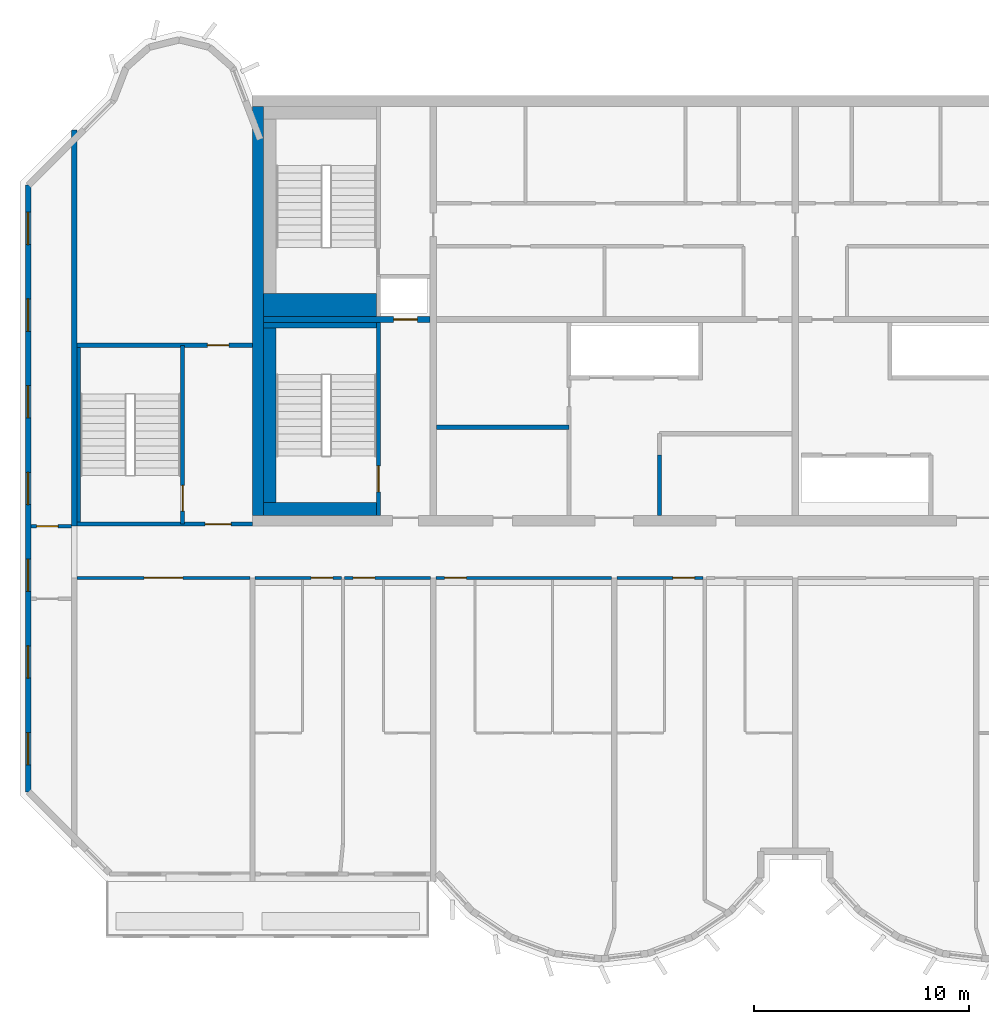
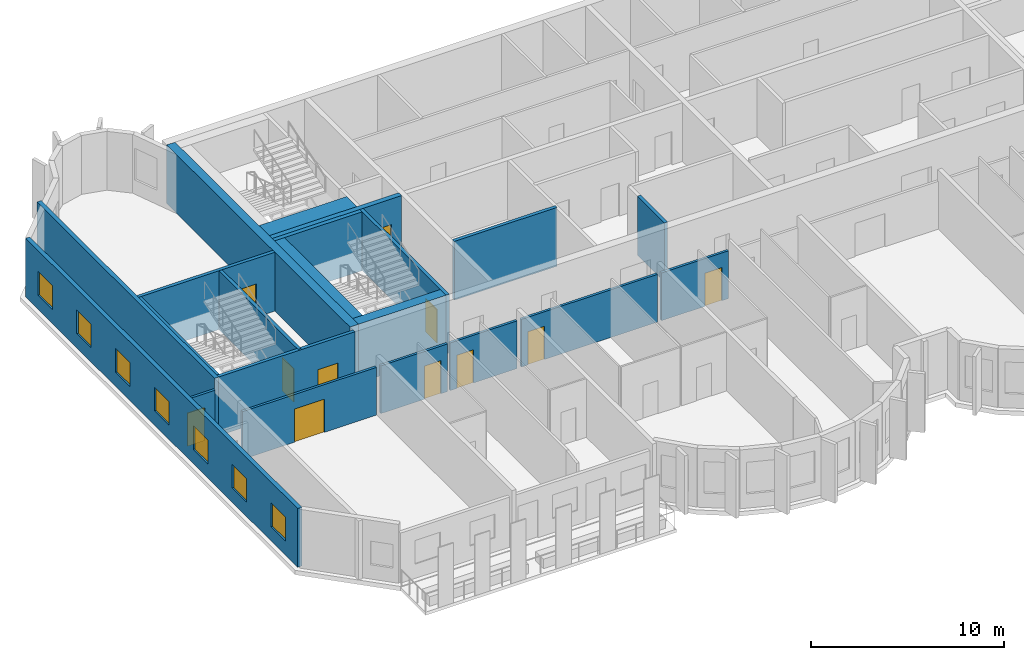
# One storey, part 3 of 11: 21 walls, 11 doors, 7 windows, 18 openings.
"""IFC4 building model written with IfcOpenShell, lengths in metres."""

from ifc_helpers import new_model, si_unit, direction, frame, frame_2d, origin, place, context, subcontext, project, spatial, rectangle, extrude, source, transform, mapped, material, layer, layer_set, type_object, element, fill, save


model = new_model("IFC4")

# Units and contexts
model_context = context("Model", 3, precision=1e-05, world=origin(), true_north=direction((0.0, 1.0)))
body_context = subcontext(model_context, "Body", "Model", "MODEL_VIEW")
ifc_project = project(units=[si_unit("LENGTHUNIT", "METRE"), si_unit("AREAUNIT", "SQUARE_METRE"), si_unit("VOLUMEUNIT", "CUBIC_METRE"), si_unit("PLANEANGLEUNIT", "RADIAN"), si_unit("MASSUNIT", "GRAM", prefix="KILO")], contexts=[model_context])

# Site, building, storey
site_placement = place(None, origin())
site = spatial("IfcSite", under=ifc_project, at=site_placement, CompositionType="ELEMENT")
building_placement = place(site_placement, origin())
building = spatial("IfcBuilding", under=site, at=building_placement, Name="Vanashikhar Sky Hotel", CompositionType="ELEMENT")
storey_placement = place(building_placement, frame((0.0, 0.0, 305.699951171875)))
storey = spatial("IfcBuildingStorey", under=building, at=storey_placement, Name="L73", CompositionType="ELEMENT", Elevation=305.699951171875)

# Wall
ifc_material_1 = material(Name="Concrete M50", Category="concrete")
ifc_layer_1 = layer(ifc_material_1, 0.5)
ifc_layer_set_1 = layer_set([ifc_layer_1], Name="RC core shell wall 500 Concrete M50")
wall_type_1 = type_object("IfcWallType", Name="RC core shell wall 500 Concrete M50", PredefinedType="SHEAR", material=ifc_layer_set_1)
shared_shape_1 = source(origin(), body_context, "Body", "SweptSolid", [
    extrude(rectangle(XDim=19.0, YDim=0.5, at=frame_2d((9.5, 0.0))), origin(), (0.0, 0.0, 1.0), 3.719970703125),
])
wall_1_placement = place(storey_placement, frame((25.449951171875, 22.5, 0.0), z_axis=(0.0, 0.0, 1.0), x_axis=(0.0, 1.0, 0.0)))
element("IfcWall", 1, at=wall_1_placement, inside=storey, type_object=wall_type_1, Name="KW-L73-KW", PredefinedType="SHEAR", context=body_context, shape_type="MappedRepresentation", body=[
    mapped(shared_shape_1, transform((0.0, 0.0, 0.0), scale=1.0)),
])

# Wall, opening, door
ifc_layer_2 = layer(ifc_material_1, 0.300048828125)
ifc_layer_set_2 = layer_set([ifc_layer_2], Name="RC core inner wall 300 Concrete M50")
wall_type_2 = type_object("IfcWallType", Name="RC core inner wall 300 Concrete M50", PredefinedType="SHEAR", material=ifc_layer_set_2)
shared_shape_2 = source(origin(), body_context, "Body", "SweptSolid", [
    extrude(rectangle(XDim=7.75, YDim=0.300048828125, at=frame_2d((3.875, 0.0))), origin(), (0.0, 0.0, 1.0), 3.719970703125),
])
wall_2_placement = place(storey_placement, frame((25.699951171875, 31.60009765625, 0.0), z_axis=(0.0, 0.0, 1.0), x_axis=(1.0, 0.0, 0.0)))
wall_2 = element("IfcWall", 2, at=wall_2_placement, inside=storey, type_object=wall_type_2, Name="KW-L73-KY1", PredefinedType="SHEAR", context=body_context, shape_type="MappedRepresentation", body=[
    mapped(shared_shape_2, transform((0.0, 0.0, 0.0), scale=1.0)),
])
shared_shape_3 = source(origin(), body_context, "Body", "SweptSolid", [
    extrude(rectangle(XDim=1.10009765625, YDim=2.10009765625, at=frame_2d((0.550048828125, 1.050048828125))), frame((0.0, 0.16015625, 0.0), z_axis=(0.0, -1.0, 0.0), x_axis=(1.0, 0.0, 0.0)), (0.0, 0.0, 1.0), 0.320068359375),
])
opening_1_placement = place(wall_2_placement, frame((6.050048828125, 0.0, 0.0)))
opening_1 = element("IfcOpeningElement", 3, at=opening_1_placement, cuts=wall_2, Name="Opening LD", PredefinedType="OPENING", context=body_context, shape_type="MappedRepresentation", body=[
    mapped(shared_shape_3, transform((0.0, 0.0, 0.0), scale=1.0)),
])
ifc_material_2 = material(Name="Stainless steel", Category="steel")
door_type_1 = type_object("IfcDoorType", Name="Lift landing door 1100", OperationType="NOTDEFINED", PredefinedType="DOOR", material=ifc_material_2)
shared_shape_4 = source(origin(), body_context, "Body", "SweptSolid", [
    extrude(rectangle(XDim=1.10009765625, YDim=2.10009765625, at=frame_2d((0.550048828125, 1.050048828125))), frame((0.0, 0.02490234375, 0.0), z_axis=(0.0, -1.0, 0.0), x_axis=(1.0, 0.0, 0.0)), (0.0, 0.0, 1.0), 0.050048828125),
])
door_1_placement = place(opening_1_placement, origin())
door_1 = element("IfcDoor", 4, at=door_1_placement, inside=storey, type_object=door_type_1, Name="Lift landing door 1100", OperationType="SLIDING_TO_LEFT", OverallHeight=2.10009765625, OverallWidth=1.10009765625, PredefinedType="DOOR", context=body_context, shape_type="MappedRepresentation", body=[
    mapped(shared_shape_4, transform((0.0, 0.0, 0.0), scale=1.0)),
])
fill(opening_1, door_1)

# Wall
ifc_layer_3 = layer(ifc_material_1, 0.25)
ifc_layer_set_3 = layer_set([ifc_layer_3], Name="RC shear wall 250 Concrete M50")
wall_type_3 = type_object("IfcWallType", Name="RC shear wall 250 Concrete M50", PredefinedType="SHEAR", material=ifc_layer_set_3)
shared_shape_5 = source(origin(), body_context, "Body", "SweptSolid", [
    extrude(rectangle(XDim=18.39990234375, YDim=0.25, at=frame_2d((9.199951171875, 0.0))), origin(), (0.0, 0.0, 1.0), 3.719970703125),
])
wall_3_placement = place(storey_placement, frame((16.925048828125, 22.0, 0.0), z_axis=(0.0, 0.0, 1.0), x_axis=(0.0, 1.0, 0.0)))
element("IfcWall", 5, at=wall_3_placement, inside=storey, type_object=wall_type_3, Name="CW-L73-XW03-2", PredefinedType="SHEAR", context=body_context, shape_type="MappedRepresentation", body=[
    mapped(shared_shape_5, transform((0.0, 0.0, 0.0), scale=1.0)),
])

# Wall, openings, windows
ifc_layer_4 = layer(ifc_material_1, 0.25)
ifc_layer_set_4 = layer_set([ifc_layer_4], Name="Rear and end board-marked wall 250")
wall_type_4 = type_object("IfcWallType", Name="Rear and end board-marked wall 250", PredefinedType="SOLIDWALL", material=ifc_layer_set_4)
shared_shape_6 = source(origin(), body_context, "Body", "SweptSolid", [
    extrude(rectangle(XDim=28.189453125, YDim=0.25, at=frame_2d((14.0947265625, 0.0))), origin(), (0.0, 0.0, 1.0), 3.719970703125),
])
wall_4_placement = place(storey_placement, frame((14.77490234375, 37.8447265625, 0.0), z_axis=(0.0, 0.0, 1.0), x_axis=(0.0, -1.0, 0.0)))
wall_4 = element("IfcWall", 6, at=wall_4_placement, inside=storey, type_object=wall_type_4, Name="End board-marked wall", PredefinedType="SOLIDWALL", context=body_context, shape_type="MappedRepresentation", body=[
    mapped(shared_shape_6, transform((0.0, 0.0, 0.0), scale=1.0)),
])
shared_shape_7 = source(origin(), body_context, "Body", "SweptSolid", [
    extrude(rectangle(XDim=1.5, YDim=1.5, at=frame_2d((0.75, 0.75))), frame((0.0, 0.135009765625, 0.0), z_axis=(0.0, -1.0, 0.0), x_axis=(1.0, 0.0, 0.0)), (0.0, 0.0, 1.0), 0.27001953125),
])
opening_2_placement = place(wall_4_placement, frame((1.263427734375, 0.0, 0.89990234375)))
opening_2 = element("IfcOpeningElement", 7, at=opening_2_placement, cuts=wall_4, Name="Opening WN-1", PredefinedType="OPENING", context=body_context, shape_type="MappedRepresentation", body=[
    mapped(shared_shape_7, transform((0.0, 0.0, 0.0), scale=1.0)),
])
opening_3_placement = place(wall_4_placement, frame((5.29052734375, 0.0, 0.89990234375)))
opening_3 = element("IfcOpeningElement", 8, at=opening_3_placement, cuts=wall_4, Name="Opening WN-1", PredefinedType="OPENING", context=body_context, shape_type="MappedRepresentation", body=[
    mapped(shared_shape_7, transform((0.0, 0.0, 0.0), scale=1.0)),
])
opening_4_placement = place(wall_4_placement, frame((9.317626953125, 0.0, 0.89990234375)))
opening_4 = element("IfcOpeningElement", 9, at=opening_4_placement, cuts=wall_4, Name="Opening WN-1", PredefinedType="OPENING", context=body_context, shape_type="MappedRepresentation", body=[
    mapped(shared_shape_7, transform((0.0, 0.0, 0.0), scale=1.0)),
])
opening_5_placement = place(wall_4_placement, frame((13.3447265625, 0.0, 0.89990234375)))
opening_5 = element("IfcOpeningElement", 10, at=opening_5_placement, cuts=wall_4, Name="Opening WN-1", PredefinedType="OPENING", context=body_context, shape_type="MappedRepresentation", body=[
    mapped(shared_shape_7, transform((0.0, 0.0, 0.0), scale=1.0)),
])
opening_6_placement = place(wall_4_placement, frame((17.371826171875, 0.0, 0.89990234375)))
opening_6 = element("IfcOpeningElement", 11, at=opening_6_placement, cuts=wall_4, Name="Opening WN-1", PredefinedType="OPENING", context=body_context, shape_type="MappedRepresentation", body=[
    mapped(shared_shape_7, transform((0.0, 0.0, 0.0), scale=1.0)),
])
opening_7_placement = place(wall_4_placement, frame((21.398681640625, 0.0, 0.89990234375)))
opening_7 = element("IfcOpeningElement", 12, at=opening_7_placement, cuts=wall_4, Name="Opening WN-1", PredefinedType="OPENING", context=body_context, shape_type="MappedRepresentation", body=[
    mapped(shared_shape_7, transform((0.0, 0.0, 0.0), scale=1.0)),
])
opening_8_placement = place(wall_4_placement, frame((25.42578125, 0.0, 0.89990234375)))
opening_8 = element("IfcOpeningElement", 13, at=opening_8_placement, cuts=wall_4, Name="Opening WN-1", PredefinedType="OPENING", context=body_context, shape_type="MappedRepresentation", body=[
    mapped(shared_shape_7, transform((0.0, 0.0, 0.0), scale=1.0)),
])
ifc_material_3 = material(Name="Glass", Category="glass")
window_type = type_object("IfcWindowType", Name="Window 1500 x 1500", PartitioningType="SINGLE_PANEL", PredefinedType="WINDOW", material=ifc_material_3)
shared_shape_8 = source(origin(), body_context, "Body", "SweptSolid", [
    extrude(rectangle(XDim=1.5, YDim=1.5, at=frame_2d((0.75, 0.75))), frame((0.0, 0.030029296875, 0.0), z_axis=(0.0, -1.0, 0.0), x_axis=(1.0, 0.0, 0.0)), (0.0, 0.0, 1.0), 0.06005859375),
])
window_1_placement = place(opening_2_placement, origin())
window_1 = element("IfcWindow", 14, at=window_1_placement, inside=storey, type_object=window_type, Name="Window WN-1", OverallHeight=1.5, OverallWidth=1.5, PartitioningType="SINGLE_PANEL", PredefinedType="WINDOW", context=body_context, shape_type="MappedRepresentation", body=[
    mapped(shared_shape_8, transform((0.0, 0.0, 0.0), scale=1.0)),
])
fill(opening_2, window_1)
window_2_placement = place(opening_3_placement, origin())
window_2 = element("IfcWindow", 15, at=window_2_placement, inside=storey, type_object=window_type, Name="Window WN-1", OverallHeight=1.5, OverallWidth=1.5, PartitioningType="SINGLE_PANEL", PredefinedType="WINDOW", context=body_context, shape_type="MappedRepresentation", body=[
    mapped(shared_shape_8, transform((0.0, 0.0, 0.0), scale=1.0)),
])
fill(opening_3, window_2)
window_3_placement = place(opening_4_placement, origin())
window_3 = element("IfcWindow", 16, at=window_3_placement, inside=storey, type_object=window_type, Name="Window WN-1", OverallHeight=1.5, OverallWidth=1.5, PartitioningType="SINGLE_PANEL", PredefinedType="WINDOW", context=body_context, shape_type="MappedRepresentation", body=[
    mapped(shared_shape_8, transform((0.0, 0.0, 0.0), scale=1.0)),
])
fill(opening_4, window_3)
window_4_placement = place(opening_5_placement, origin())
window_4 = element("IfcWindow", 17, at=window_4_placement, inside=storey, type_object=window_type, Name="Window WN-1", OverallHeight=1.5, OverallWidth=1.5, PartitioningType="SINGLE_PANEL", PredefinedType="WINDOW", context=body_context, shape_type="MappedRepresentation", body=[
    mapped(shared_shape_8, transform((0.0, 0.0, 0.0), scale=1.0)),
])
fill(opening_5, window_4)
window_5_placement = place(opening_6_placement, origin())
window_5 = element("IfcWindow", 18, at=window_5_placement, inside=storey, type_object=window_type, Name="Window WN-1", OverallHeight=1.5, OverallWidth=1.5, PartitioningType="SINGLE_PANEL", PredefinedType="WINDOW", context=body_context, shape_type="MappedRepresentation", body=[
    mapped(shared_shape_8, transform((0.0, 0.0, 0.0), scale=1.0)),
])
fill(opening_6, window_5)
window_6_placement = place(opening_7_placement, origin())
window_6 = element("IfcWindow", 19, at=window_6_placement, inside=storey, type_object=window_type, Name="Window WN-1", OverallHeight=1.5, OverallWidth=1.5, PartitioningType="SINGLE_PANEL", PredefinedType="WINDOW", context=body_context, shape_type="MappedRepresentation", body=[
    mapped(shared_shape_8, transform((0.0, 0.0, 0.0), scale=1.0)),
])
fill(opening_7, window_6)
window_7_placement = place(opening_8_placement, origin())
window_7 = element("IfcWindow", 20, at=window_7_placement, inside=storey, type_object=window_type, Name="Window WN-1", OverallHeight=1.5, OverallWidth=1.5, PartitioningType="SINGLE_PANEL", PredefinedType="WINDOW", context=body_context, shape_type="MappedRepresentation", body=[
    mapped(shared_shape_8, transform((0.0, 0.0, 0.0), scale=1.0)),
])
fill(opening_8, window_7)

# Walls
ifc_material_4 = material(Name="Gypsum board partition")
ifc_layer_5 = layer(ifc_material_4, 0.14990234375)
ifc_layer_set_5 = layer_set([ifc_layer_5], Name="Service partition 150")
wall_type_5 = type_object("IfcWallType", Name="Service partition 150", PredefinedType="PARTITIONING", material=ifc_layer_set_5)
shared_shape_9 = source(origin(), body_context, "Body", "SweptSolid", [
    extrude(rectangle(XDim=2.800048828125, YDim=0.199951171875, at=frame_2d((1.39990234375, 0.0))), origin(), (0.0, 0.0, 1.0), 3.719970703125),
])
wall_5_placement = place(storey_placement, frame((44.10009765625, 22.5, 0.0), z_axis=(0.0, 0.0, 1.0), x_axis=(0.0, 1.0, 0.0)))
element("IfcWall", 21, at=wall_5_placement, inside=storey, type_object=wall_type_5, Name="Service partition 150", PredefinedType="PARTITIONING", context=body_context, shape_type="MappedRepresentation", body=[
    mapped(shared_shape_9, transform((0.0, 0.0, 0.0), scale=1.0)),
])
shared_shape_10 = source(origin(), body_context, "Body", "SweptSolid", [
    extrude(rectangle(XDim=6.14990234375, YDim=0.199951171875, at=frame_2d((3.074951171875, 0.0))), origin(), (0.0, 0.0, 1.0), 3.719970703125),
])
wall_6_placement = place(storey_placement, frame((33.75, 26.60009765625, 0.0), z_axis=(0.0, 0.0, 1.0), x_axis=(1.0, 0.0, 0.0)))
element("IfcWall", 22, at=wall_6_placement, inside=storey, type_object=wall_type_5, Name="Service partition 150", PredefinedType="PARTITIONING", context=body_context, shape_type="MappedRepresentation", body=[
    mapped(shared_shape_10, transform((0.0, 0.0, 0.0), scale=1.0)),
])

# Wall, opening, door
ifc_layer_6 = layer(ifc_material_1, 0.199951171875)
ifc_layer_set_6 = layer_set([ifc_layer_6], Name="Stair wall 200")
wall_type_6 = type_object("IfcWallType", Name="Stair wall 200", PredefinedType="SOLIDWALL", material=ifc_layer_set_6)
shared_shape_11 = source(origin(), body_context, "Body", "SweptSolid", [
    extrude(rectangle(XDim=8.949951171875, YDim=0.199951171875, at=frame_2d((4.47509765625, 0.0))), origin(), (0.0, 0.0, 1.0), 3.719970703125),
])
wall_7_placement = place(storey_placement, frame((31.050048828125, 22.5, 0.0), z_axis=(0.0, 0.0, 1.0), x_axis=(0.0, 1.0, 0.0)))
wall_7 = element("IfcWall", 23, at=wall_7_placement, inside=storey, type_object=wall_type_6, Name="Stair wall 200", PredefinedType="SOLIDWALL", context=body_context, shape_type="MappedRepresentation", body=[
    mapped(shared_shape_11, transform((0.0, 0.0, 0.0), scale=1.0)),
])
shared_shape_12 = source(origin(), body_context, "Body", "SweptSolid", [
    extrude(rectangle(XDim=1.199951171875, YDim=2.10009765625, at=frame_2d((0.60009765625, 1.050048828125))), frame((0.0, 0.10986328125, 0.0), z_axis=(0.0, -1.0, 0.0), x_axis=(1.0, 0.0, 0.0)), (0.0, 0.0, 1.0), 0.219970703125),
])
opening_9_placement = place(wall_7_placement, frame((1.10009765625, 0.0, 0.0)))
opening_9 = element("IfcOpeningElement", 24, at=opening_9_placement, cuts=wall_7, Name="Opening DC-1", PredefinedType="OPENING", context=body_context, shape_type="MappedRepresentation", body=[
    mapped(shared_shape_12, transform((0.0, 0.0, 0.0), scale=1.0)),
])
ifc_material_5 = material(Name="Steel", Category="steel")
door_type_2 = type_object("IfcDoorType", Name="Stair door 1200 FD120", OperationType="NOTDEFINED", PredefinedType="DOOR", material=ifc_material_5)
shared_shape_13 = source(origin(), body_context, "Body", "SweptSolid", [
    extrude(rectangle(XDim=1.199951171875, YDim=2.10009765625, at=frame_2d((0.60009765625, 1.050048828125))), frame((0.0, 0.02490234375, 0.0), z_axis=(0.0, -1.0, 0.0), x_axis=(1.0, 0.0, 0.0)), (0.0, 0.0, 1.0), 0.050048828125),
])
door_2_placement = place(opening_9_placement, origin())
door_2 = element("IfcDoor", 25, at=door_2_placement, inside=storey, type_object=door_type_2, Name="Stair door 1200 FD120", OperationType="SINGLE_SWING_LEFT", OverallHeight=2.10009765625, OverallWidth=1.199951171875, PredefinedType="DOOR", context=body_context, shape_type="MappedRepresentation", body=[
    mapped(shared_shape_13, transform((0.0, 0.0, 0.0), scale=1.0)),
])
fill(opening_9, door_2)

shared_shape_14 = source(origin(), body_context, "Body", "SweptSolid", [
    extrude(rectangle(XDim=8.2998046875, YDim=0.199951171875, at=frame_2d((4.14990234375, 0.0))), origin(), (0.0, 0.0, 1.0), 3.719970703125),
])
wall_8_placement = place(storey_placement, frame((21.949951171875, 22.10009765625, 0.0), z_axis=(0.0, 0.0, 1.0), x_axis=(0.0, 1.0, 0.0)))
wall_8 = element("IfcWall", 26, at=wall_8_placement, inside=storey, type_object=wall_type_6, Name="Stair wall 200", PredefinedType="SOLIDWALL", context=body_context, shape_type="MappedRepresentation", body=[
    mapped(shared_shape_14, transform((0.0, 0.0, 0.0), scale=1.0)),
])
opening_10_placement = place(wall_8_placement, frame((0.60009765625, 0.0, 0.0)))
opening_10 = element("IfcOpeningElement", 27, at=opening_10_placement, cuts=wall_8, Name="Opening DC-1", PredefinedType="OPENING", context=body_context, shape_type="MappedRepresentation", body=[
    mapped(shared_shape_12, transform((0.0, 0.0, 0.0), scale=1.0)),
])
door_3_placement = place(opening_10_placement, origin())
door_3 = element("IfcDoor", 28, at=door_3_placement, inside=storey, type_object=door_type_2, Name="Stair door 1200 FD120", OperationType="SINGLE_SWING_RIGHT", OverallHeight=2.10009765625, OverallWidth=1.199951171875, PredefinedType="DOOR", context=body_context, shape_type="MappedRepresentation", body=[
    mapped(shared_shape_13, transform((0.0, 0.0, 0.0), scale=1.0)),
])
fill(opening_10, door_3)

shared_shape_15 = source(origin(), body_context, "Body", "SweptSolid", [
    extrude(rectangle(XDim=8.14990234375, YDim=0.199951171875, at=frame_2d((4.074951171875, 0.0))), origin(), (0.0, 0.0, 1.0), 3.719970703125),
])
wall_9_placement = place(storey_placement, frame((17.050048828125, 22.10009765625, 0.0), z_axis=(0.0, 0.0, 1.0), x_axis=(1.0, 0.0, 0.0)))
wall_9 = element("IfcWall", 29, at=wall_9_placement, inside=storey, type_object=wall_type_6, Name="Stair wall 200", PredefinedType="SOLIDWALL", context=body_context, shape_type="MappedRepresentation", body=[
    mapped(shared_shape_15, transform((0.0, 0.0, 0.0), scale=1.0)),
])
opening_11_placement = place(wall_9_placement, frame((5.949951171875, 0.0, 0.0)))
opening_11 = element("IfcOpeningElement", 30, at=opening_11_placement, cuts=wall_9, Name="Opening DC-2", PredefinedType="OPENING", context=body_context, shape_type="MappedRepresentation", body=[
    mapped(shared_shape_12, transform((0.0, 0.0, 0.0), scale=1.0)),
])
door_type_3 = type_object("IfcDoorType", Name="Firefighting lobby door 1200 FD120", OperationType="NOTDEFINED", PredefinedType="DOOR", material=ifc_material_5)
door_4_placement = place(opening_11_placement, origin())
door_4 = element("IfcDoor", 31, at=door_4_placement, inside=storey, type_object=door_type_3, Name="Firefighting lobby door 1200 FD120", OperationType="SINGLE_SWING_LEFT", OverallHeight=2.10009765625, OverallWidth=1.199951171875, PredefinedType="DOOR", context=body_context, shape_type="MappedRepresentation", body=[
    mapped(shared_shape_13, transform((0.0, 0.0, 0.0), scale=1.0)),
])
fill(opening_11, door_4)

wall_10_placement = place(storey_placement, frame((17.050048828125, 30.39990234375, 0.0), z_axis=(0.0, 0.0, 1.0), x_axis=(1.0, 0.0, 0.0)))
wall_10 = element("IfcWall", 32, at=wall_10_placement, inside=storey, type_object=wall_type_6, Name="Stair wall 200", PredefinedType="SOLIDWALL", context=body_context, shape_type="MappedRepresentation", body=[
    mapped(shared_shape_15, transform((0.0, 0.0, 0.0), scale=1.0)),
])
shared_shape_16 = source(origin(), body_context, "Body", "SweptSolid", [
    extrude(rectangle(XDim=1.0, YDim=2.10009765625, at=frame_2d((0.5, 1.050048828125))), frame((0.0, 0.10986328125, 0.0), z_axis=(0.0, -1.0, 0.0), x_axis=(1.0, 0.0, 0.0)), (0.0, 0.0, 1.0), 0.219970703125),
])
opening_12_placement = place(wall_10_placement, frame((6.050048828125, 0.0, 0.0)))
opening_12 = element("IfcOpeningElement", 33, at=opening_12_placement, cuts=wall_10, Name="Opening DC-6", PredefinedType="OPENING", context=body_context, shape_type="MappedRepresentation", body=[
    mapped(shared_shape_16, transform((0.0, 0.0, 0.0), scale=1.0)),
])
door_type_4 = type_object("IfcDoorType", Name="Pocket door 1000 FD60", OperationType="NOTDEFINED", PredefinedType="DOOR", material=ifc_material_5)
shared_shape_17 = source(origin(), body_context, "Body", "SweptSolid", [
    extrude(rectangle(XDim=1.0, YDim=2.10009765625, at=frame_2d((0.5, 1.050048828125))), frame((0.0, 0.02490234375, 0.0), z_axis=(0.0, -1.0, 0.0), x_axis=(1.0, 0.0, 0.0)), (0.0, 0.0, 1.0), 0.050048828125),
])
door_5_placement = place(opening_12_placement, origin())
door_5 = element("IfcDoor", 34, at=door_5_placement, inside=storey, type_object=door_type_4, Name="Pocket door 1000 FD60", OperationType="SINGLE_SWING_LEFT", OverallHeight=2.10009765625, OverallWidth=1.0, PredefinedType="DOOR", context=body_context, shape_type="MappedRepresentation", body=[
    mapped(shared_shape_17, transform((0.0, 0.0, 0.0), scale=1.0)),
])
fill(opening_12, door_5)

# Walls
ifc_layer_7 = layer(ifc_material_1, 0.60009765625)
ifc_layer_set_7 = layer_set([ifc_layer_7], Name="Stair infill wall 600")
wall_type_7 = type_object("IfcWallType", Name="Stair infill wall 600", PredefinedType="SOLIDWALL", material=ifc_layer_set_7)
shared_shape_18 = source(origin(), body_context, "Body", "SweptSolid", [
    extrude(rectangle(XDim=5.25, YDim=0.60009765625, at=frame_2d((2.625, 0.0))), origin(), (0.0, 0.0, 1.0), 3.719970703125),
])
wall_11_placement = place(storey_placement, frame((25.699951171875, 22.800048828125, 0.0), z_axis=(0.0, 0.0, 1.0), x_axis=(1.0, 0.0, 0.0)))
element("IfcWall", 35, at=wall_11_placement, inside=storey, type_object=wall_type_7, Name="Stair infill wall 600", PredefinedType="SOLIDWALL", context=body_context, shape_type="MappedRepresentation", body=[
    mapped(shared_shape_18, transform((0.0, 0.0, 0.0), scale=1.0)),
])
ifc_layer_8 = layer(ifc_material_1, 0.25)
ifc_layer_set_8 = layer_set([ifc_layer_8], Name="Stair infill wall 250")
wall_type_8 = type_object("IfcWallType", Name="Stair infill wall 250", PredefinedType="SOLIDWALL", material=ifc_layer_set_8)
shared_shape_19 = source(origin(), body_context, "Body", "SweptSolid", [
    extrude(rectangle(XDim=5.25, YDim=0.25, at=frame_2d((2.625, 0.0))), origin(), (0.0, 0.0, 1.0), 3.719970703125),
])
wall_12_placement = place(storey_placement, frame((25.699951171875, 31.324951171875, 0.0), z_axis=(0.0, 0.0, 1.0), x_axis=(1.0, 0.0, 0.0)))
element("IfcWall", 36, at=wall_12_placement, inside=storey, type_object=wall_type_8, Name="Stair infill wall 250", PredefinedType="SOLIDWALL", context=body_context, shape_type="MappedRepresentation", body=[
    mapped(shared_shape_19, transform((0.0, 0.0, 0.0), scale=1.0)),
])
shared_shape_20 = source(origin(), body_context, "Body", "SweptSolid", [
    extrude(rectangle(XDim=8.099853515625, YDim=0.60009765625, at=frame_2d((4.0498046875, 0.0))), origin(), (0.0, 0.0, 1.0), 3.719970703125),
])
wall_13_placement = place(storey_placement, frame((26.0, 23.10009765625, 0.0), z_axis=(0.0, 0.0, 1.0), x_axis=(0.0, 1.0, 0.0)))
element("IfcWall", 37, at=wall_13_placement, inside=storey, type_object=wall_type_7, Name="Stair infill wall 600", PredefinedType="SOLIDWALL", context=body_context, shape_type="MappedRepresentation", body=[
    mapped(shared_shape_20, transform((0.0, 0.0, 0.0), scale=1.0)),
])
ifc_layer_9 = layer(ifc_material_1, 0.14990234375)
ifc_layer_set_9 = layer_set([ifc_layer_9], Name="Stair infill wall 150")
wall_type_9 = type_object("IfcWallType", Name="Stair infill wall 150", PredefinedType="SOLIDWALL", material=ifc_layer_set_9)
shared_shape_21 = source(origin(), body_context, "Body", "SweptSolid", [
    extrude(rectangle(XDim=8.10009765625, YDim=0.14990234375, at=frame_2d((4.050048828125, 0.0))), origin(), (0.0, 0.0, 1.0), 3.719970703125),
])
wall_14_placement = place(storey_placement, frame((17.125, 22.199951171875, 0.0), z_axis=(0.0, 0.0, 1.0), x_axis=(0.0, 1.0, 0.0)))
element("IfcWall", 38, at=wall_14_placement, inside=storey, type_object=wall_type_9, Name="Stair infill wall 150", PredefinedType="SOLIDWALL", context=body_context, shape_type="MappedRepresentation", body=[
    mapped(shared_shape_21, transform((0.0, 0.0, 0.0), scale=1.0)),
])
ifc_layer_10 = layer(ifc_material_1, 1.050048828125)
ifc_layer_set_10 = layer_set([ifc_layer_10], Name="Stair infill wall 1050")
wall_type_10 = type_object("IfcWallType", Name="Stair infill wall 1050", PredefinedType="SOLIDWALL", material=ifc_layer_set_10)
shared_shape_22 = source(origin(), body_context, "Body", "SweptSolid", [
    extrude(rectangle(XDim=5.25, YDim=1.050048828125, at=frame_2d((2.625, 0.0))), origin(), (0.0, 0.0, 1.0), 3.719970703125),
])
wall_15_placement = place(storey_placement, frame((25.699951171875, 32.27490234375, 0.0), z_axis=(0.0, 0.0, 1.0), x_axis=(1.0, 0.0, 0.0)))
element("IfcWall", 39, at=wall_15_placement, inside=storey, type_object=wall_type_10, Name="Stair infill wall 1050", PredefinedType="SOLIDWALL", context=body_context, shape_type="MappedRepresentation", body=[
    mapped(shared_shape_22, transform((0.0, 0.0, 0.0), scale=1.0)),
])

# Wall, opening, door
ifc_material_6 = material(Name="Gypsum plasterboard partition")
ifc_layer_11 = layer(ifc_material_6, 0.14990234375)
ifc_layer_set_11 = layer_set([ifc_layer_11], Name="Corridor and demising partition 150")
wall_type_11 = type_object("IfcWallType", Name="Corridor and demising partition 150", PredefinedType="PARTITIONING", material=ifc_layer_set_11)
shared_shape_23 = source(origin(), body_context, "Body", "SweptSolid", [
    extrude(rectangle(XDim=8.02490234375, YDim=0.14990234375, at=frame_2d((4.012451171875, 0.0))), origin(), (0.0, 0.0, 1.0), 3.02001953125),
])
wall_16_placement = place(storey_placement, frame((17.050048828125, 19.60009765625, 0.0), z_axis=(0.0, 0.0, 1.0), x_axis=(1.0, 0.0, 0.0)))
wall_16 = element("IfcWall", 40, at=wall_16_placement, inside=storey, type_object=wall_type_11, Name="W-L73-PW001", PredefinedType="PARTITIONING", context=body_context, shape_type="MappedRepresentation", body=[
    mapped(shared_shape_23, transform((0.0, 0.0, 0.0), scale=1.0)),
])
shared_shape_24 = source(origin(), body_context, "Body", "SweptSolid", [
    extrude(rectangle(XDim=1.800048828125, YDim=2.10009765625, at=frame_2d((0.89990234375, 1.050048828125))), frame((0.0, 0.0849609375, 0.0), z_axis=(0.0, -1.0, 0.0), x_axis=(1.0, 0.0, 0.0)), (0.0, 0.0, 1.0), 0.169921875),
])
opening_13_placement = place(wall_16_placement, frame((3.113037109375, 0.0, 0.0)))
opening_13 = element("IfcOpeningElement", 41, at=opening_13_placement, cuts=wall_16, Name="Opening D-03", PredefinedType="OPENING", context=body_context, shape_type="MappedRepresentation", body=[
    mapped(shared_shape_24, transform((0.0, 0.0, 0.0), scale=1.0)),
])
ifc_material_7 = material(Name="Timber fire door", Category="wood")
door_type_5 = type_object("IfcDoorType", Name="Double leaf door 1800 FD30S", OperationType="NOTDEFINED", PredefinedType="DOOR", material=ifc_material_7)
shared_shape_25 = source(origin(), body_context, "Body", "SweptSolid", [
    extrude(rectangle(XDim=1.800048828125, YDim=2.10009765625, at=frame_2d((0.89990234375, 1.050048828125))), frame((0.0, 0.02490234375, 0.0), z_axis=(0.0, -1.0, 0.0), x_axis=(1.0, 0.0, 0.0)), (0.0, 0.0, 1.0), 0.050048828125),
])
door_6_placement = place(opening_13_placement, origin())
door_6 = element("IfcDoor", 42, at=door_6_placement, inside=storey, type_object=door_type_5, Name="D-L73-001", OperationType="DOUBLE_DOOR_SINGLE_SWING", OverallHeight=2.10009765625, OverallWidth=1.800048828125, PredefinedType="DOOR", context=body_context, shape_type="MappedRepresentation", body=[
    mapped(shared_shape_25, transform((0.0, 0.0, 0.0), scale=1.0)),
])
fill(opening_13, door_6)

shared_shape_26 = source(origin(), body_context, "Body", "SweptSolid", [
    extrude(rectangle(XDim=8.14990234375, YDim=0.14990234375, at=frame_2d((4.074951171875, 0.0))), origin(), (0.0, 0.0, 1.0), 3.02001953125),
])
wall_17_placement = place(storey_placement, frame((33.72509765625, 19.60009765625, 0.0), z_axis=(0.0, 0.0, 1.0), x_axis=(1.0, 0.0, 0.0)))
wall_17 = element("IfcWall", 43, at=wall_17_placement, inside=storey, type_object=wall_type_11, Name="W-L73-PW013", PredefinedType="PARTITIONING", context=body_context, shape_type="MappedRepresentation", body=[
    mapped(shared_shape_26, transform((0.0, 0.0, 0.0), scale=1.0)),
])
shared_shape_27 = source(origin(), body_context, "Body", "SweptSolid", [
    extrude(rectangle(XDim=1.0, YDim=2.10009765625, at=frame_2d((0.5, 1.050048828125))), frame((0.0, 0.0849609375, 0.0), z_axis=(0.0, -1.0, 0.0), x_axis=(1.0, 0.0, 0.0)), (0.0, 0.0, 1.0), 0.169921875),
])
opening_14_placement = place(wall_17_placement, frame((0.39990234375, 0.0, 0.0)))
opening_14 = element("IfcOpeningElement", 44, at=opening_14_placement, cuts=wall_17, Name="Opening D-01", PredefinedType="OPENING", context=body_context, shape_type="MappedRepresentation", body=[
    mapped(shared_shape_27, transform((0.0, 0.0, 0.0), scale=1.0)),
])
door_type_6 = type_object("IfcDoorType", Name="Guest entry door 1000 FD30S", OperationType="NOTDEFINED", PredefinedType="DOOR", material=ifc_material_7)
door_7_placement = place(opening_14_placement, origin())
door_7 = element("IfcDoor", 45, at=door_7_placement, inside=storey, type_object=door_type_6, Name="D-L73-008", OperationType="SINGLE_SWING_LEFT", OverallHeight=2.10009765625, OverallWidth=1.0, PredefinedType="DOOR", context=body_context, shape_type="MappedRepresentation", body=[
    mapped(shared_shape_17, transform((0.0, 0.0, 0.0), scale=1.0)),
])
fill(opening_14, door_7)

shared_shape_28 = source(origin(), body_context, "Body", "SweptSolid", [
    extrude(rectangle(XDim=1.900146484375, YDim=0.14990234375, at=frame_2d((0.9501953125, 0.0))), origin(), (0.0, 0.0, 1.0), 3.02001953125),
])
wall_18_placement = place(storey_placement, frame((14.89990234375, 22.0, 0.0), z_axis=(0.0, 0.0, 1.0), x_axis=(1.0, 0.0, 0.0)))
wall_18 = element("IfcWall", 46, at=wall_18_placement, inside=storey, type_object=wall_type_11, Name="W-L73-PW043", PredefinedType="PARTITIONING", context=body_context, shape_type="MappedRepresentation", body=[
    mapped(shared_shape_28, transform((0.0, 0.0, 0.0), scale=1.0)),
])
opening_15_placement = place(wall_18_placement, frame((0.27490234375, 0.0, 0.0)))
opening_15 = element("IfcOpeningElement", 47, at=opening_15_placement, cuts=wall_18, Name="Opening D-01", PredefinedType="OPENING", context=body_context, shape_type="MappedRepresentation", body=[
    mapped(shared_shape_27, transform((0.0, 0.0, 0.0), scale=1.0)),
])
door_8_placement = place(opening_15_placement, origin())
door_8 = element("IfcDoor", 48, at=door_8_placement, inside=storey, type_object=door_type_6, Name="D-L73-025", OperationType="SINGLE_SWING_LEFT", OverallHeight=2.10009765625, OverallWidth=1.0, PredefinedType="DOOR", context=body_context, shape_type="MappedRepresentation", body=[
    mapped(shared_shape_17, transform((0.0, 0.0, 0.0), scale=1.0)),
])
fill(opening_15, door_8)

shared_shape_29 = source(origin(), body_context, "Body", "SweptSolid", [
    extrude(rectangle(XDim=4.0, YDim=0.14990234375, at=frame_2d((2.0, 0.0))), origin(), (0.0, 0.0, 1.0), 3.02001953125),
])
wall_19_placement = place(storey_placement, frame((25.324951171875, 19.60009765625, 0.0), z_axis=(0.0, 0.0, 1.0), x_axis=(1.0, 0.0, 0.0)))
wall_19 = element("IfcWall", 49, at=wall_19_placement, inside=storey, type_object=wall_type_11, Name="W-L73-PW004", PredefinedType="PARTITIONING", context=body_context, shape_type="MappedRepresentation", body=[
    mapped(shared_shape_29, transform((0.0, 0.0, 0.0), scale=1.0)),
])
opening_16_placement = place(wall_19_placement, frame((2.60009765625, 0.0, 0.0)))
opening_16 = element("IfcOpeningElement", 50, at=opening_16_placement, cuts=wall_19, Name="Opening D-01", PredefinedType="OPENING", context=body_context, shape_type="MappedRepresentation", body=[
    mapped(shared_shape_27, transform((0.0, 0.0, 0.0), scale=1.0)),
])
door_9_placement = place(opening_16_placement, origin())
door_9 = element("IfcDoor", 51, at=door_9_placement, inside=storey, type_object=door_type_6, Name="D-L73-003", OperationType="SINGLE_SWING_RIGHT", OverallHeight=2.10009765625, OverallWidth=1.0, PredefinedType="DOOR", context=body_context, shape_type="MappedRepresentation", body=[
    mapped(shared_shape_17, transform((0.0, 0.0, 0.0), scale=1.0)),
])
fill(opening_16, door_9)

wall_20_placement = place(storey_placement, frame((29.47509765625, 19.60009765625, 0.0), z_axis=(0.0, 0.0, 1.0), x_axis=(1.0, 0.0, 0.0)))
wall_20 = element("IfcWall", 52, at=wall_20_placement, inside=storey, type_object=wall_type_11, Name="W-L73-PW007", PredefinedType="PARTITIONING", context=body_context, shape_type="MappedRepresentation", body=[
    mapped(shared_shape_29, transform((0.0, 0.0, 0.0), scale=1.0)),
])
opening_17_placement = place(wall_20_placement, frame((0.39990234375, 0.0, 0.0)))
opening_17 = element("IfcOpeningElement", 53, at=opening_17_placement, cuts=wall_20, Name="Opening D-01", PredefinedType="OPENING", context=body_context, shape_type="MappedRepresentation", body=[
    mapped(shared_shape_27, transform((0.0, 0.0, 0.0), scale=1.0)),
])
door_10_placement = place(opening_17_placement, origin())
door_10 = element("IfcDoor", 54, at=door_10_placement, inside=storey, type_object=door_type_6, Name="D-L73-005", OperationType="SINGLE_SWING_LEFT", OverallHeight=2.10009765625, OverallWidth=1.0, PredefinedType="DOOR", context=body_context, shape_type="MappedRepresentation", body=[
    mapped(shared_shape_17, transform((0.0, 0.0, 0.0), scale=1.0)),
])
fill(opening_17, door_10)

wall_21_placement = place(storey_placement, frame((42.125, 19.60009765625, 0.0), z_axis=(0.0, 0.0, 1.0), x_axis=(1.0, 0.0, 0.0)))
wall_21 = element("IfcWall", 55, at=wall_21_placement, inside=storey, type_object=wall_type_11, Name="W-L73-PW016", PredefinedType="PARTITIONING", context=body_context, shape_type="MappedRepresentation", body=[
    mapped(shared_shape_29, transform((0.0, 0.0, 0.0), scale=1.0)),
])
opening_18_placement = place(wall_21_placement, frame((2.60009765625, 0.0, 0.0)))
opening_18 = element("IfcOpeningElement", 56, at=opening_18_placement, cuts=wall_21, Name="Opening D-01", PredefinedType="OPENING", context=body_context, shape_type="MappedRepresentation", body=[
    mapped(shared_shape_27, transform((0.0, 0.0, 0.0), scale=1.0)),
])
door_11_placement = place(opening_18_placement, origin())
door_11 = element("IfcDoor", 57, at=door_11_placement, inside=storey, type_object=door_type_6, Name="D-L73-010", OperationType="SINGLE_SWING_RIGHT", OverallHeight=2.10009765625, OverallWidth=1.0, PredefinedType="DOOR", context=body_context, shape_type="MappedRepresentation", body=[
    mapped(shared_shape_17, transform((0.0, 0.0, 0.0), scale=1.0)),
])
fill(opening_18, door_11)

save(model, "model.ifc")
